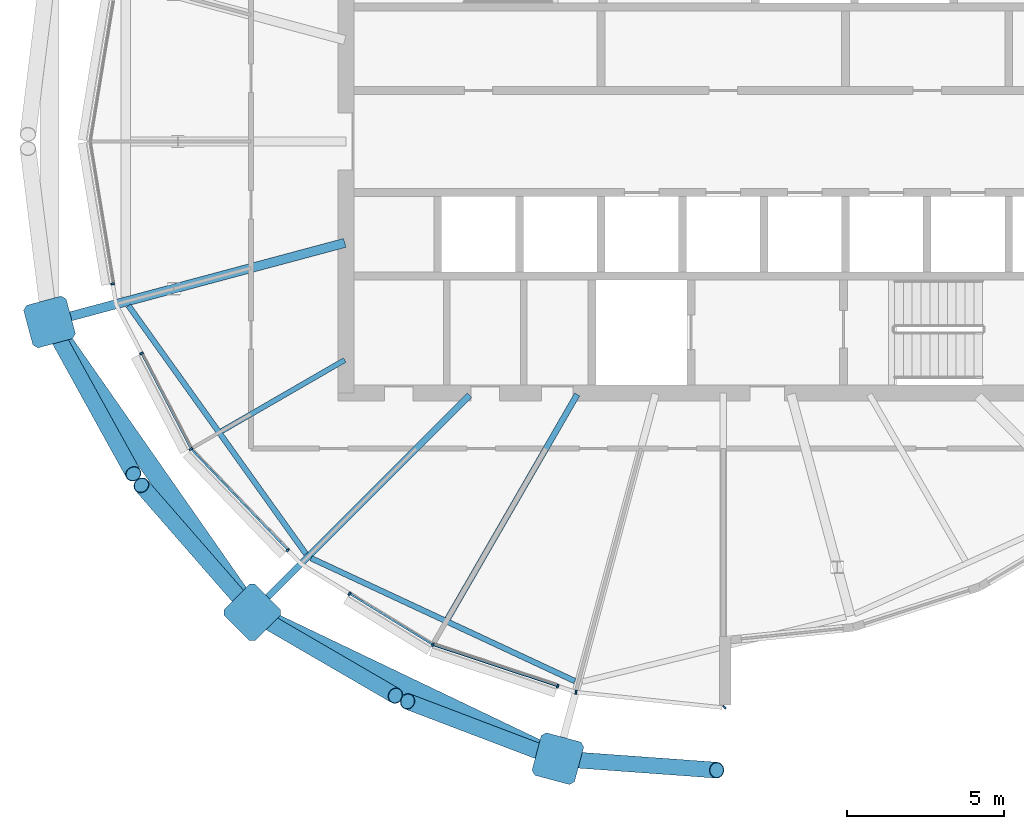
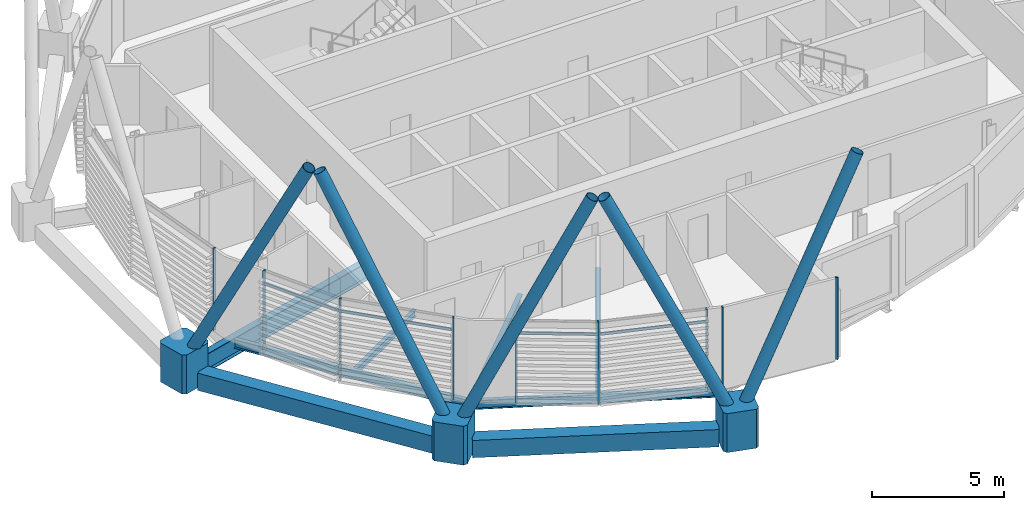
# One storey, part 3 of 31: 21 members, 8 beams, 1 element without a shape of its own.
"""IFC4 building model written with IfcOpenShell, lengths in metres."""

from ifc_helpers import new_model, si_unit, direction, frame, origin, origin_2d, place, context, subcontext, project, spatial, polyline, rectangle, hollow_rectangle, hollow_circle, i_section, outline, extrude, material, material_profile, profile_set, type_object, element, aggregate, save


model = new_model("IFC4")

# Units and contexts
model_context = context("Model", 3, precision=1e-05, world=origin(), true_north=direction((0.0, 1.0)))
body_context = subcontext(model_context, "Body", "Model", "MODEL_VIEW")
ifc_project = project(units=[si_unit("LENGTHUNIT", "METRE"), si_unit("AREAUNIT", "SQUARE_METRE"), si_unit("VOLUMEUNIT", "CUBIC_METRE"), si_unit("PLANEANGLEUNIT", "RADIAN"), si_unit("MASSUNIT", "GRAM", prefix="KILO")], contexts=[model_context])

# Site, building, storey
site_placement = place(None, origin())
site = spatial("IfcSite", under=ifc_project, at=site_placement, CompositionType="ELEMENT")
building_placement = place(site_placement, origin())
building = spatial("IfcBuilding", under=site, at=building_placement, Name="Rimbun Link Towers", CompositionType="ELEMENT")
storey_placement = place(building_placement, frame((0.0, 0.0, 244.699951171875)))
storey = spatial("IfcBuildingStorey", under=building, at=storey_placement, Name="L60", CompositionType="ELEMENT", Elevation=244.699951171875)

# Curtain wall, members
ifc_material_1 = material(Name="Aluminium 6063-T6 and low-iron glass", Category="aluminium")
curtain_wall_type = type_object("IfcCurtainWallType", Name="CW1-Z4 unitised vision wall (zone 4)", PredefinedType="NOTDEFINED", material=ifc_material_1)
curtain_wall_placement = place(storey_placement, origin())
curtain_wall = element("IfcCurtainWall", 1, at=curtain_wall_placement, inside=storey, type_object=curtain_wall_type, Name="CW1 L60 T1", PredefinedType="NOTDEFINED")
ifc_material_2 = material(Name="Aluminium 6063-T6", Category="aluminium")
ifc_material_profile_1 = material_profile(ifc_material_2, rectangle(XDim=0.1201171875, YDim=0.06005859375, at=origin_2d()), Name="MULLION 60X120")
ifc_profile_set_1 = profile_set([ifc_material_profile_1], Name="Aluminium 6063-T6")
member_type_1 = type_object("IfcMemberType", Name="CW1 mullion 60X120", PredefinedType="MULLION", material=ifc_profile_set_1)
member_1_placement = place(storey_placement, frame((-51.173828125, -4.52880859375, 0.0), z_axis=(0.0, 0.0, 1.0), x_axis=(-0.986747677327, -0.162262199201, 0.0)))
member_1 = element("IfcMember", 2, at=member_1_placement, type_object=member_type_1, Name="CW1 mullion", PredefinedType="MULLION", context=body_context, shape_type="SweptSolid", body=[
    extrude(rectangle(XDim=0.1201171875, YDim=0.06005859375, at=origin_2d()), origin(), (0.0, 0.0, 1.0), 3.800048828125),
])
member_2_placement = place(storey_placement, frame((-48.683837890625, -9.783447265625, 0.0), z_axis=(0.0, 0.0, 1.0), x_axis=(-0.813354276071, -0.581768701115, 0.0)))
member_2 = element("IfcMember", 3, at=member_2_placement, type_object=member_type_1, Name="CW1 mullion", PredefinedType="MULLION", context=body_context, shape_type="SweptSolid", body=[
    extrude(rectangle(XDim=0.1201171875, YDim=0.06005859375, at=origin_2d()), origin(), (0.0, 0.0, 1.0), 3.800048828125),
])
member_3_placement = place(storey_placement, frame((-50.258056640625, -6.742431640625, 0.0), z_axis=(0.0, 0.0, 1.0), x_axis=(-0.888150898734, -0.459551935126, 0.0)))
member_3 = element("IfcMember", 4, at=member_3_placement, type_object=member_type_1, Name="CW1 mullion", PredefinedType="MULLION", context=body_context, shape_type="SweptSolid", body=[
    extrude(rectangle(XDim=0.1201171875, YDim=0.06005859375, at=origin_2d()), origin(), (0.0, 0.0, 1.0), 3.800048828125),
])
member_4_placement = place(storey_placement, frame((-45.6005859375, -13.00048828125, 0.0), z_axis=(0.0, 0.0, 1.0), x_axis=(-0.721858292347, -0.692040898915, 0.0)))
member_4 = element("IfcMember", 5, at=member_4_placement, type_object=member_type_1, Name="CW1 mullion", PredefinedType="MULLION", context=body_context, shape_type="SweptSolid", body=[
    extrude(rectangle(XDim=0.1201171875, YDim=0.06005859375, at=origin_2d()), origin(), (0.0, 0.0, 1.0), 3.800048828125),
])
member_5_placement = place(storey_placement, frame((-40.988525390625, -16.01220703125, 0.0), z_axis=(0.0, 0.0, 1.0), x_axis=(-0.421699968812, -0.906735427953, 0.0)))
member_5 = element("IfcMember", 6, at=member_5_placement, type_object=member_type_1, Name="CW1 mullion", PredefinedType="MULLION", context=body_context, shape_type="SweptSolid", body=[
    extrude(rectangle(XDim=0.1201171875, YDim=0.06005859375, at=origin_2d()), origin(), (0.0, 0.0, 1.0), 3.800048828125),
])
member_6_placement = place(storey_placement, frame((-43.6396484375, -14.385009765625, 0.0), z_axis=(0.0, 0.0, 1.0), x_axis=(-0.523228997113, -0.852192124219, 0.0)))
member_6 = element("IfcMember", 7, at=member_6_placement, type_object=member_type_1, Name="CW1 mullion", PredefinedType="MULLION", context=body_context, shape_type="SweptSolid", body=[
    extrude(rectangle(XDim=0.1201171875, YDim=0.06005859375, at=origin_2d()), origin(), (0.0, 0.0, 1.0), 3.800048828125),
])
member_7_placement = place(storey_placement, frame((-37.016845703125, -17.328857421875, 0.0), z_axis=(0.0, 0.0, 1.0), x_axis=(-0.314569451089, -0.949234460205, 0.0)))
member_7 = element("IfcMember", 8, at=member_7_placement, type_object=member_type_1, Name="CW1 mullion", PredefinedType="MULLION", context=body_context, shape_type="SweptSolid", body=[
    extrude(rectangle(XDim=0.1201171875, YDim=0.06005859375, at=origin_2d()), origin(), (0.0, 0.0, 1.0), 3.800048828125),
])
member_8_placement = place(storey_placement, frame((-31.7099609375, -17.997802734375, 0.0), z_axis=(0.0, 0.0, 1.0), x_axis=(0.669054420529, -0.743213416436, 0.0)))
member_8 = element("IfcMember", 9, at=member_8_placement, type_object=member_type_1, Name="CW1 mullion", PredefinedType="MULLION", context=body_context, shape_type="SweptSolid", body=[
    extrude(rectangle(XDim=0.1201171875, YDim=0.06005859375, at=origin_2d()), origin(), (0.0, 0.0, 1.0), 3.800048828125),
])
member_9_placement = place(storey_placement, frame((-36.434814453125, -17.520263671875, 0.0), z_axis=(0.0, 0.0, 1.0), x_axis=(-0.10473236474, -0.994500443326, 0.0)))
member_9 = element("IfcMember", 10, at=member_9_placement, type_object=member_type_1, Name="CW1 mullion", PredefinedType="MULLION", context=body_context, shape_type="SweptSolid", body=[
    extrude(rectangle(XDim=0.1201171875, YDim=0.06005859375, at=origin_2d()), origin(), (0.0, 0.0, 1.0), 3.800048828125),
])
ifc_material_3 = material(Name="Aluminium 6063-T6", Category="aluminium")
ifc_material_profile_2 = material_profile(ifc_material_3, rectangle(XDim=0.06005859375, YDim=0.1201171875, at=origin_2d()), Name="TRANSOM 60X120")
ifc_profile_set_2 = profile_set([ifc_material_profile_2], Name="Aluminium 6063-T6")
member_type_2 = type_object("IfcMemberType", Name="CW1 transom 60X120", PredefinedType="USERDEFINED", material=ifc_profile_set_2)
member_10_placement = place(storey_placement, frame((-48.700439453125, -9.74853515625, 3.199951171875), z_axis=(-0.459567390883, 0.888142901361, 0.0), x_axis=(-0.888142901361, -0.459567390883, 0.0)))
member_10 = element("IfcMember", 11, at=member_10_placement, type_object=member_type_2, Name="CW1 transom", ObjectType="TRANSOM", PredefinedType="USERDEFINED", context=body_context, shape_type="SweptSolid", body=[
    extrude(rectangle(XDim=0.06005859375, YDim=0.1201171875, at=origin_2d()), origin(), (0.0, 0.0, 1.0), 3.35595703125),
])
member_11_placement = place(storey_placement, frame((-45.619873046875, -12.9775390625, 3.199951171875), z_axis=(-0.692037083084, 0.721861950539, 0.0), x_axis=(-0.721861950539, -0.692037083084, 0.0)))
member_11 = element("IfcMember", 12, at=member_11_placement, type_object=member_type_2, Name="CW1 transom", ObjectType="TRANSOM", PredefinedType="USERDEFINED", context=body_context, shape_type="SweptSolid", body=[
    extrude(rectangle(XDim=0.06005859375, YDim=0.1201171875, at=origin_2d()), origin(), (0.0, 0.0, 1.0), 4.3876953125),
])
member_12_placement = place(storey_placement, frame((-41.019287109375, -15.991455078125, 3.199951171875), z_axis=(-0.852189422972, 0.523233396654, 0.0), x_axis=(-0.523233396654, -0.852189422972, 0.0)))
member_12 = element("IfcMember", 13, at=member_12_placement, type_object=member_type_2, Name="CW1 transom", ObjectType="TRANSOM", PredefinedType="USERDEFINED", context=body_context, shape_type="SweptSolid", body=[
    extrude(rectangle(XDim=0.06005859375, YDim=0.1201171875, at=origin_2d()), origin(), (0.0, 0.0, 1.0), 3.043701171875),
])
member_13_placement = place(storey_placement, frame((-37.044677734375, -17.3173828125, 3.199951171875), z_axis=(-0.949239188988, 0.314555181309, 0.0), x_axis=(-0.314555181309, -0.949239188988, 0.0)))
member_13 = element("IfcMember", 14, at=member_13_placement, type_object=member_type_2, Name="CW1 transom", ObjectType="TRANSOM", PredefinedType="USERDEFINED", context=body_context, shape_type="SweptSolid", body=[
    extrude(rectangle(XDim=0.06005859375, YDim=0.1201171875, at=origin_2d()), origin(), (0.0, 0.0, 1.0), 4.117431640625),
])
aggregate(curtain_wall, [member_1, member_2, member_3, member_4, member_5, member_6, member_7, member_8, member_9, member_10, member_11, member_12, member_13])

# Members
ifc_material_4 = material(Name="Steel S355J2H", Category="steel")
ifc_material_profile_3 = material_profile(ifc_material_4, hollow_circle(Radius=0.25390625, WallThickness=0.02001953125, at=origin_2d()), Name="Diagrid diagonal CHS 508x20")
ifc_profile_set_3 = profile_set([ifc_material_profile_3], Name="Steel S355J2H")
member_type_3 = type_object("IfcMemberType", Name="Diagrid diagonal CHS 508x20", PredefinedType="BRACE", material=ifc_profile_set_3)
member_14_placement = place(storey_placement, frame((-53.07373046875, -5.939697265625, 0.446533203125), z_axis=(0.217507737355, -0.393908545908, 0.893043359334), x_axis=(0.875409479865, 0.483382087549, 0.0)))
element("IfcMember", 15, at=member_14_placement, inside=storey, type_object=member_type_3, Name="Diagrid diagonal T1 L60-L63 13b", PredefinedType="BRACE", context=body_context, shape_type="SweptSolid", body=[
    extrude(hollow_circle(Radius=0.25390625, WallThickness=0.02001953125, at=origin_2d()), origin(), (0.0, 0.0, 1.0), 11.765380859375),
])
member_15_placement = place(storey_placement, frame((-46.877685546875, -14.817138671875, 0.448974609375), z_axis=(-0.289292505479, 0.331750183244, 0.897915175387), x_axis=(-0.753689003324, -0.6572312274, 0.0)))
element("IfcMember", 16, at=member_15_placement, inside=storey, type_object=member_type_3, Name="Diagrid diagonal T1 L60-L63 15a", PredefinedType="BRACE", context=body_context, shape_type="SweptSolid", body=[
    extrude(hollow_circle(Radius=0.25390625, WallThickness=0.02001953125, at=origin_2d()), origin(), (0.0, 0.0, 1.0), 11.696044921875),
])
member_16_placement = place(storey_placement, frame((-46.545654296875, -15.091796875, 0.45068359375), z_axis=(0.374829095169, -0.217810343556, 0.901144718486), x_axis=(0.502424689454, 0.864620975588, 0.0)))
element("IfcMember", 17, at=member_16_placement, inside=storey, type_object=member_type_3, Name="Diagrid diagonal T1 L60-L63 15b", PredefinedType="BRACE", context=body_context, shape_type="SweptSolid", body=[
    extrude(hollow_circle(Radius=0.25390625, WallThickness=0.02001953125, at=origin_2d()), origin(), (0.0, 0.0, 1.0), 11.650390625),
])
member_17_placement = place(storey_placement, frame((-37.208740234375, -19.55859375, 0.453125), z_axis=(-0.395784508652, 0.150629526777, 0.905905827542), x_axis=(-0.355695220175, -0.934602006388, 0.0)))
element("IfcMember", 18, at=member_17_placement, inside=storey, type_object=member_type_3, Name="Diagrid diagonal T1 L60-L63 17a", PredefinedType="BRACE", context=body_context, shape_type="SweptSolid", body=[
    extrude(hollow_circle(Radius=0.25390625, WallThickness=0.02001953125, at=origin_2d()), origin(), (0.0, 0.0, 1.0), 11.583984375),
])
member_18_placement = place(storey_placement, frame((-36.801513671875, -19.64892578125, 0.453857421875), z_axis=(0.418821529999, -0.030303478826, 0.90756279407), x_axis=(0.072165506105, 0.997392670782, 0.0)))
element("IfcMember", 19, at=member_18_placement, inside=storey, type_object=member_type_3, Name="Diagrid diagonal T1 L60-L63 17b", PredefinedType="BRACE", context=body_context, shape_type="SweptSolid", body=[
    extrude(hollow_circle(Radius=0.25390625, WallThickness=0.02001953125, at=origin_2d()), origin(), (0.0, 0.0, 1.0), 11.56103515625),
])
ifc_material_5 = material(Name="Cast steel G20Mn5+QT, Rp0.2 300 MPa", Category="steel")
ifc_material_profile_4 = material_profile(ifc_material_5, outline(polyline([(0.699951171875, -0.570068359375), (0.699951171875, 0.570068359375), (0.570068359375, 0.699951171875), (-0.570068359375, 0.699951171875), (-0.699951171875, 0.570068359375), (-0.699951171875, -0.570068359375), (-0.570068359375, -0.699951171875), (0.570068359375, -0.699951171875), (0.699951171875, -0.570068359375)])), Name="NODE 1400x1400")
ifc_profile_set_4 = profile_set([ifc_material_profile_4], Name="Cast steel G20Mn5+QT, Rp0.2 300 MPa")
member_type_4 = type_object("IfcMemberType", Name="Diagrid node cast 1400", PredefinedType="USERDEFINED", material=ifc_profile_set_4)
for number, where, z_axis, x_axis, name in (
    (20, (-53.1826171875, -5.742919921875, -0.89990234375), (0.0, 0.0, 1.0), (-0.965925826289, -0.258819045103, 0.0), "Diagrid node L60 13"),
    (21, (-46.73291015625, -14.98291015625, -0.89990234375), (0.0, 0.0, 1.0), (-0.707106781187, -0.707106781187, 0.0), "Diagrid node L60 15"),
    (22, (-37.010986328125, -19.6337890625, -0.89990234375), (0.0, 0.0, 1.0), (-0.258819045103, -0.965925826289, 0.0), "Diagrid node L60 17"),
):
    element("IfcMember", number, at=place(storey_placement, frame(where, z_axis=z_axis, x_axis=x_axis)), inside=storey, type_object=member_type_4, Name=name, ObjectType="Diagrid node", PredefinedType="USERDEFINED", context=body_context, shape_type="SweptSolid", body=[
        extrude(outline(polyline([(0.699951171875, -0.570068359375), (0.699951171875, 0.570068359375), (0.570068359375, 0.699951171875), (-0.570068359375, 0.699951171875), (-0.699951171875, 0.570068359375), (-0.699951171875, -0.570068359375), (-0.570068359375, -0.699951171875), (0.570068359375, -0.699951171875), (0.699951171875, -0.570068359375)])), origin(), (0.0, 0.0, 1.0), 1.800048828125),
    ])

# Beams
ifc_material_6 = material(Name="Steel S355J2", Category="steel")
ifc_material_profile_5 = material_profile(ifc_material_6, hollow_rectangle(XDim=0.60009765625, YDim=0.800048828125, WallThickness=0.0400390625, at=origin_2d()), Name="Exoskeleton ring girder BOX 600x800x40")
ifc_profile_set_5 = profile_set([ifc_material_profile_5], Name="Steel S355J2")
beam_type_1 = type_object("IfcBeamType", Name="Exoskeleton ring girder BOX 600x800x40", PredefinedType="BEAM", material=ifc_profile_set_5)
beam_1_placement = place(storey_placement, frame((-52.781982421875, -6.31689453125, -0.56005859375), z_axis=(0.572374294954, -0.819992479524, 0.0), x_axis=(0.819992479524, 0.572374294954, 0.0)))
element("IfcBeam", 23, at=beam_1_placement, inside=storey, type_object=beam_type_1, Name="Exoskeleton ring girder L60 06", PredefinedType="BEAM", context=body_context, shape_type="SweptSolid", body=[
    extrude(hollow_rectangle(XDim=0.60009765625, YDim=0.800048828125, WallThickness=0.0400390625, at=origin_2d()), origin(), (0.0, 0.0, 1.0), 9.868408203125),
])
beam_2_placement = place(storey_placement, frame((-46.1015625, -15.28515625, -0.56005859375), z_axis=(0.902096326814, -0.431534722992, 0.0), x_axis=(0.431534722992, 0.902096326814, 0.0)))
element("IfcBeam", 24, at=beam_2_placement, inside=storey, type_object=beam_type_1, Name="Exoskeleton ring girder L60 07", PredefinedType="BEAM", context=body_context, shape_type="SweptSolid", body=[
    extrude(hollow_rectangle(XDim=0.60009765625, YDim=0.800048828125, WallThickness=0.0400390625, at=origin_2d()), origin(), (0.0, 0.0, 1.0), 9.377197265625),
])
ifc_material_7 = material(Name="Steel S355J2", Category="steel")
ifc_material_profile_6 = material_profile(ifc_material_7, i_section(OverallWidth=0.1650390625, OverallDepth=0.303466796875, WebThickness=0.006103515625, FlangeThickness=0.01025390625, at=origin_2d()), Name="UB 305x165x40")
ifc_profile_set_6 = profile_set([ifc_material_profile_6], Name="Steel S355J2")
beam_type_2 = type_object("IfcBeamType", Name="UB 305x165x40", PredefinedType="BEAM", material=ifc_profile_set_6)
beam_3_placement = place(storey_placement, frame((-43.7919921875, -6.952392578125, -0.291748046875), z_axis=(-0.866024614991, -0.500001366228, 0.0), x_axis=(0.500001366228, -0.866024614991, 0.0)))
element("IfcBeam", 25, at=beam_3_placement, inside=storey, type_object=beam_type_2, Name="Radial beam T1 L60 14", PredefinedType="BEAM", context=body_context, shape_type="SweptSolid", body=[
    extrude(i_section(OverallWidth=0.1650390625, OverallDepth=0.303466796875, WebThickness=0.006103515625, FlangeThickness=0.01025390625, at=origin_2d()), origin(), (0.0, 0.0, 1.0), 4.52099609375),
])
ifc_material_8 = material(Name="Steel S355J2", Category="steel")
ifc_material_profile_7 = material_profile(ifc_material_8, i_section(OverallWidth=0.177978515625, OverallDepth=0.406494140625, WebThickness=0.0078125, FlangeThickness=0.0126953125, at=origin_2d()), Name="UB 406x178x60")
ifc_profile_set_7 = profile_set([ifc_material_profile_7], Name="Steel S355J2")
beam_type_3 = type_object("IfcBeamType", Name="UB 406x178x60", PredefinedType="BEAM", material=ifc_profile_set_7)
beam_4_placement = place(storey_placement, frame((-50.67041015625, -5.22216796875, -0.34326171875), z_axis=(0.581513997328, -0.813536398025, 0.0), x_axis=(0.813536398025, 0.581513997328, 0.0)))
element("IfcBeam", 26, at=beam_4_placement, inside=storey, type_object=beam_type_3, Name="Edge beam T1 L60 13-15", PredefinedType="BEAM", context=body_context, shape_type="SweptSolid", body=[
    extrude(i_section(OverallWidth=0.177978515625, OverallDepth=0.406494140625, WebThickness=0.0078125, FlangeThickness=0.0126953125, at=origin_2d()), origin(), (0.0, 0.0, 1.0), 9.712158203125),
])
beam_5_placement = place(storey_placement, frame((-44.8583984375, -13.2578125, -0.34326171875), z_axis=(0.906430969705, -0.42235399508, 0.0), x_axis=(0.42235399508, 0.906430969705, 0.0)))
element("IfcBeam", 27, at=beam_5_placement, inside=storey, type_object=beam_type_3, Name="Edge beam T1 L60 15-17", PredefinedType="BEAM", context=body_context, shape_type="SweptSolid", body=[
    extrude(i_section(OverallWidth=0.177978515625, OverallDepth=0.406494140625, WebThickness=0.0078125, FlangeThickness=0.0126953125, at=origin_2d()), origin(), (0.0, 0.0, 1.0), 9.255615234375),
])
ifc_material_9 = material(Name="Steel S355J2", Category="steel")
ifc_material_profile_8 = material_profile(ifc_material_9, i_section(OverallWidth=0.18994140625, OverallDepth=0.453369140625, WebThickness=0.008544921875, FlangeThickness=0.0126953125, at=origin_2d()), Name="UB 457x191x67")
ifc_profile_set_8 = profile_set([ifc_material_profile_8], Name="Steel S355J2")
beam_type_4 = type_object("IfcBeamType", Name="UB 457x191x67", PredefinedType="BEAM", material=ifc_profile_set_8)
beam_6_placement = place(storey_placement, frame((-36.396728515625, -8.04833984375, -0.36669921875), z_axis=(-0.499996112969, -0.866027647951, 0.0), x_axis=(0.866027647951, -0.499996112969, 0.0)))
element("IfcBeam", 28, at=beam_6_placement, inside=storey, type_object=beam_type_4, Name="Radial beam T1 L60 16", PredefinedType="BEAM", context=body_context, shape_type="SweptSolid", body=[
    extrude(i_section(OverallWidth=0.18994140625, OverallDepth=0.453369140625, WebThickness=0.008544921875, FlangeThickness=0.0126953125, at=origin_2d()), origin(), (0.0, 0.0, 1.0), 8.2373046875),
])
ifc_material_10 = material(Name="Steel S355J2", Category="steel")
ifc_material_profile_9 = material_profile(ifc_material_10, i_section(OverallWidth=0.209228515625, OverallDepth=0.533203125, WebThickness=0.010009765625, FlangeThickness=0.015625, at=origin_2d()), Name="UB 533x210x92")
ifc_profile_set_9 = profile_set([ifc_material_profile_9], Name="Steel S355J2")
beam_type_5 = type_object("IfcBeamType", Name="UB 533x210x92", PredefinedType="BEAM", material=ifc_profile_set_9)
beam_7_placement = place(storey_placement, frame((-39.82470703125, -8.07470703125, -0.406494140625), z_axis=(-0.707106781187, -0.707106781187, 0.0), x_axis=(0.707106781187, -0.707106781187, 0.0)))
element("IfcBeam", 29, at=beam_7_placement, inside=storey, type_object=beam_type_5, Name="Radial beam T1 L60 15", PredefinedType="BEAM", context=body_context, shape_type="SweptSolid", body=[
    extrude(i_section(OverallWidth=0.209228515625, OverallDepth=0.533203125, WebThickness=0.010009765625, FlangeThickness=0.015625, at=origin_2d()), origin(), (0.0, 0.0, 1.0), 9.269775390625),
])
ifc_material_11 = material(Name="Steel S355J2", Category="steel")
ifc_material_profile_10 = material_profile(ifc_material_11, i_section(OverallWidth=0.29248046875, OverallDepth=0.8408203125, WebThickness=0.0126953125, FlangeThickness=0.021728515625, at=origin_2d()), Name="UB 838x292x194")
ifc_profile_set_10 = profile_set([ifc_material_profile_10], Name="Steel S355J2")
beam_type_6 = type_object("IfcBeamType", Name="UB 838x292x194", PredefinedType="BEAM", material=ifc_profile_set_10)
beam_8_placement = place(storey_placement, frame((-43.788818359375, -3.225830078125, -0.560302734375), z_axis=(-0.965929859648, -0.258803991931, 0.0), x_axis=(0.258803991931, -0.965929859648, 0.0)))
element("IfcBeam", 30, at=beam_8_placement, inside=storey, type_object=beam_type_6, Name="Radial beam T1 L60 13", PredefinedType="BEAM", context=body_context, shape_type="SweptSolid", body=[
    extrude(i_section(OverallWidth=0.29248046875, OverallDepth=0.8408203125, WebThickness=0.0126953125, FlangeThickness=0.021728515625, at=origin_2d()), origin(), (0.0, 0.0, 1.0), 9.224853515625),
])

save(model, "model.ifc")
